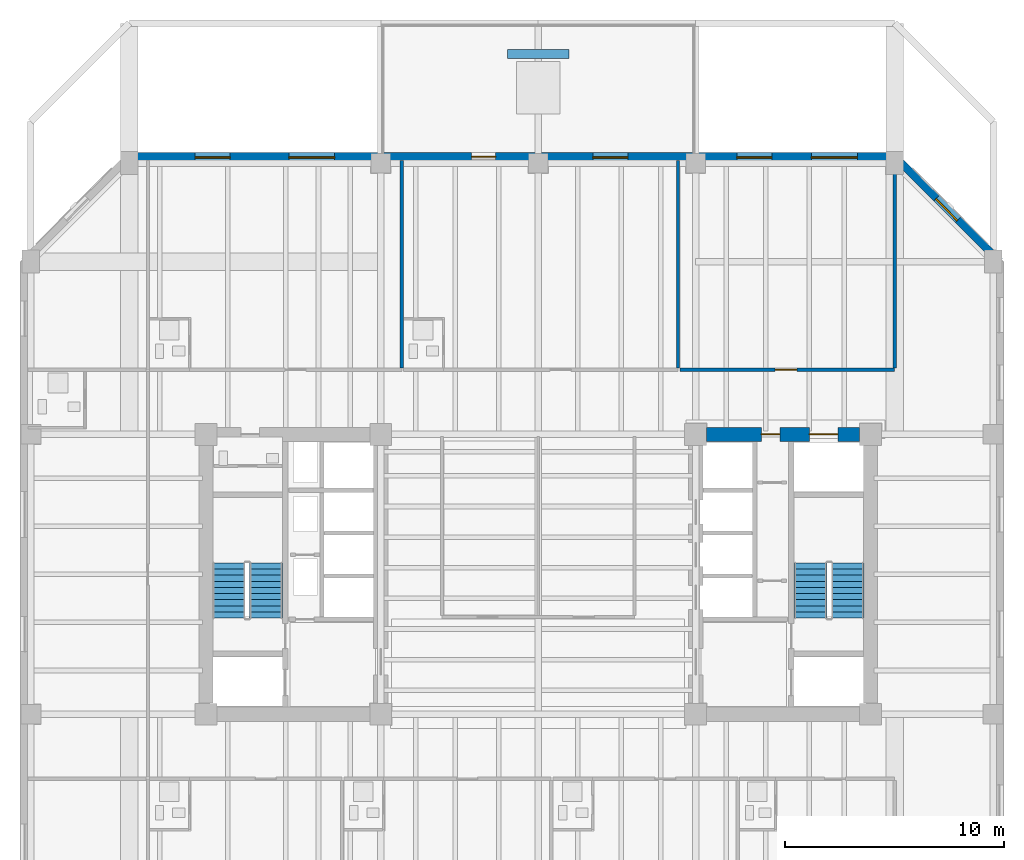
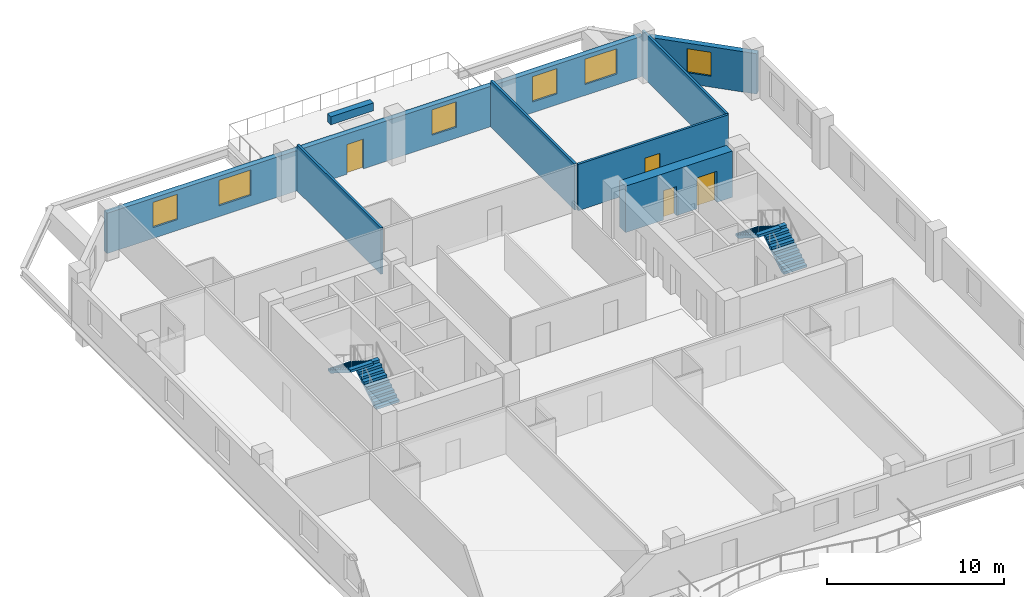
# One storey, part 6 of 11: 8 walls, 6 windows, 4 doors, 4 stair flights, 10 openings, 2 elements without a shape of their own.
"""IFC4 building model written with IfcOpenShell, lengths in metres."""

from ifc_helpers import new_model, si_unit, direction, frame, frame_2d, origin, place, context, subcontext, project, spatial, polyline, rectangle, outline, extrude, material, layer, layer_set, type_object, element, fill, aggregate, save


model = new_model("IFC4")

# Units and contexts
model_context = context("Model", 3, precision=1e-05, world=origin(), true_north=direction((0.0, 1.0)))
body_context = subcontext(model_context, "Body", "Model", "MODEL_VIEW")
ifc_project = project(units=[si_unit("LENGTHUNIT", "METRE"), si_unit("AREAUNIT", "SQUARE_METRE"), si_unit("VOLUMEUNIT", "CUBIC_METRE"), si_unit("PLANEANGLEUNIT", "RADIAN"), si_unit("MASSUNIT", "GRAM", prefix="KILO")], contexts=[model_context])

# Site, building, storey
site_placement = place(None, origin())
site = spatial("IfcSite", under=ifc_project, at=site_placement, CompositionType="ELEMENT")
building_placement = place(site_placement, origin())
building = spatial("IfcBuilding", under=site, at=building_placement, Name="Kranthara Brick Stack", CompositionType="ELEMENT")
storey_placement = place(building_placement, frame((0.0, 0.0, 120.300048828125)))
storey = spatial("IfcBuildingStorey", under=building, at=storey_placement, Name="L29", CompositionType="ELEMENT", Elevation=120.300048828125)

# Wall, openings, door, windows
ifc_material_1 = material(Name="Kiln-fired clay brick masonry M15", Category="masonry")
ifc_layer_1 = layer(ifc_material_1, 0.35009765625)
ifc_layer_set_1 = layer_set([ifc_layer_1], Name="Kiln-fired clay brick masonry M15")
wall_type_1 = type_object("IfcWallType", Name="WL-BRK-SPND-350", PredefinedType="STANDARD", material=ifc_layer_set_1)
wall_1_placement = place(storey_placement, frame((9.300048828125, 46.304931640625, 0.0), z_axis=(0.0, 0.0, 1.0), x_axis=(1.0, 0.0, 0.0)))
wall_1 = element("IfcWall", 1, at=wall_1_placement, inside=storey, type_object=wall_type_1, Name="L29 Exterior Brick Facade Wall NORTH 1", PredefinedType="STANDARD", context=body_context, shape_type="SweptSolid", body=[
    extrude(rectangle(XDim=35.0, YDim=0.35009765625, at=frame_2d((17.5, 0.0))), origin(), (0.0, 0.0, 1.0), 2.784912109375),
])
opening_1_placement = place(wall_1_placement, frame((15.64990234375, 0.0, 0.0)))
opening_1 = element("IfcOpeningElement", 2, at=opening_1_placement, cuts=wall_1, Name="Opening D02", PredefinedType="OPENING", context=body_context, shape_type="SweptSolid", body=[
    extrude(rectangle(XDim=1.10009765625, YDim=2.050048828125, at=frame_2d((0.550048828125, 1.02490234375))), frame((0.0, 0.18505859375, 0.0), z_axis=(0.0, -1.0, 0.0), x_axis=(1.0, 0.0, 0.0)), (0.0, 0.0, 1.0), 0.3701171875),
])
opening_2_placement = place(wall_1_placement, frame((3.007080078125, 0.0, 0.75)))
opening_2 = element("IfcOpeningElement", 3, at=opening_2_placement, cuts=wall_1, Name="Opening WN04", PredefinedType="OPENING", context=body_context, shape_type="SweptSolid", body=[
    extrude(rectangle(XDim=1.60009765625, YDim=1.75, at=frame_2d((0.800048828125, 0.875))), frame((0.0, 0.18505859375, 0.0), z_axis=(0.0, -1.0, 0.0), x_axis=(1.0, 0.0, 0.0)), (0.0, 0.0, 1.0), 0.3701171875),
])
opening_3_placement = place(wall_1_placement, frame((7.29296875, 0.0, 0.75)))
opening_3 = element("IfcOpeningElement", 4, at=opening_3_placement, cuts=wall_1, Name="Opening WN05", PredefinedType="OPENING", context=body_context, shape_type="SweptSolid", body=[
    extrude(rectangle(XDim=2.10009765625, YDim=1.75, at=frame_2d((1.050048828125, 0.875))), frame((0.0, 0.18505859375, 0.0), z_axis=(0.0, -1.0, 0.0), x_axis=(1.0, 0.0, 0.0)), (0.0, 0.0, 1.0), 0.3701171875),
])
opening_4_placement = place(wall_1_placement, frame((21.197998046875, 0.0, 0.75)))
opening_4 = element("IfcOpeningElement", 5, at=opening_4_placement, cuts=wall_1, Name="Opening WN04", PredefinedType="OPENING", context=body_context, shape_type="SweptSolid", body=[
    extrude(rectangle(XDim=1.60009765625, YDim=1.75, at=frame_2d((0.800048828125, 0.875))), frame((0.0, 0.18505859375, 0.0), z_axis=(0.0, -1.0, 0.0), x_axis=(1.0, 0.0, 0.0)), (0.0, 0.0, 1.0), 0.3701171875),
])
opening_5_placement = place(wall_1_placement, frame((27.782958984375, 0.0, 0.75)))
opening_5 = element("IfcOpeningElement", 6, at=opening_5_placement, cuts=wall_1, Name="Opening WN04", PredefinedType="OPENING", context=body_context, shape_type="SweptSolid", body=[
    extrude(rectangle(XDim=1.60009765625, YDim=1.75, at=frame_2d((0.800048828125, 0.875))), frame((0.0, 0.18505859375, 0.0), z_axis=(0.0, -1.0, 0.0), x_axis=(1.0, 0.0, 0.0)), (0.0, 0.0, 1.0), 0.3701171875),
])
opening_6_placement = place(wall_1_placement, frame((31.19189453125, 0.0, 0.75)))
opening_6 = element("IfcOpeningElement", 7, at=opening_6_placement, cuts=wall_1, Name="Opening WN05", PredefinedType="OPENING", context=body_context, shape_type="SweptSolid", body=[
    extrude(rectangle(XDim=2.10009765625, YDim=1.75, at=frame_2d((1.050048828125, 0.875))), frame((0.0, 0.18505859375, 0.0), z_axis=(0.0, -1.0, 0.0), x_axis=(1.0, 0.0, 0.0)), (0.0, 0.0, 1.0), 0.3701171875),
])
ifc_material_2 = material(Name="Bronze anodised aluminium and laminated glass", Category="aluminium")
door_type_1 = type_object("IfcDoorType", Name="DR-TERR-1100", OperationType="NOTDEFINED", PredefinedType="DOOR", material=ifc_material_2)
door_1_placement = place(opening_1_placement, origin())
door_1 = element("IfcDoor", 8, at=door_1_placement, inside=storey, type_object=door_type_1, Name="L29 Planted Sky Garden Terrace Door", OperationType="SINGLE_SWING_LEFT", OverallHeight=2.050048828125, OverallWidth=1.10009765625, PredefinedType="DOOR", context=body_context, shape_type="SweptSolid", body=[
    extrude(rectangle(XDim=1.10009765625, YDim=2.050048828125, at=frame_2d((0.550048828125, 1.02490234375))), frame((0.0, 0.02490234375, 0.0), z_axis=(0.0, -1.0, 0.0), x_axis=(1.0, 0.0, 0.0)), (0.0, 0.0, 1.0), 0.050048828125),
])
fill(opening_1, door_1)
ifc_material_3 = material(Name="Double-glazed low-E solar control glass", Category="glass")
window_type_1 = type_object("IfcWindowType", Name="WN-HTL-1600x1850", PartitioningType="DOUBLE_PANEL_VERTICAL", PredefinedType="WINDOW", material=ifc_material_3)
window_1_placement = place(opening_2_placement, origin())
window_1 = element("IfcWindow", 9, at=window_1_placement, inside=storey, type_object=window_type_1, Name="L29 North Deep-Set Brick Window 01", OverallHeight=1.75, OverallWidth=1.60009765625, PartitioningType="SINGLE_PANEL", PredefinedType="WINDOW", context=body_context, shape_type="SweptSolid", body=[
    extrude(rectangle(XDim=1.60009765625, YDim=1.75, at=frame_2d((0.800048828125, 0.875))), frame((0.0, -0.010009765625, 0.0), z_axis=(0.0, -1.0, 0.0), x_axis=(1.0, 0.0, 0.0)), (0.0, 0.0, 1.0), 0.06005859375),
])
fill(opening_2, window_1)
window_2_placement = place(opening_4_placement, origin())
window_2 = element("IfcWindow", 10, at=window_2_placement, inside=storey, type_object=window_type_1, Name="L29 North Deep-Set Brick Window 03", OverallHeight=1.75, OverallWidth=1.60009765625, PartitioningType="SINGLE_PANEL", PredefinedType="WINDOW", context=body_context, shape_type="SweptSolid", body=[
    extrude(rectangle(XDim=1.60009765625, YDim=1.75, at=frame_2d((0.800048828125, 0.875))), frame((0.0, -0.010009765625, 0.0), z_axis=(0.0, -1.0, 0.0), x_axis=(1.0, 0.0, 0.0)), (0.0, 0.0, 1.0), 0.06005859375),
])
fill(opening_4, window_2)
window_3_placement = place(opening_5_placement, origin())
window_3 = element("IfcWindow", 11, at=window_3_placement, inside=storey, type_object=window_type_1, Name="L29 North Deep-Set Brick Window 04", OverallHeight=1.75, OverallWidth=1.60009765625, PartitioningType="SINGLE_PANEL", PredefinedType="WINDOW", context=body_context, shape_type="SweptSolid", body=[
    extrude(rectangle(XDim=1.60009765625, YDim=1.75, at=frame_2d((0.800048828125, 0.875))), frame((0.0, -0.010009765625, 0.0), z_axis=(0.0, -1.0, 0.0), x_axis=(1.0, 0.0, 0.0)), (0.0, 0.0, 1.0), 0.06005859375),
])
fill(opening_5, window_3)
ifc_material_4 = material(Name="Double-glazed low-E solar control glass", Category="glass")
window_type_2 = type_object("IfcWindowType", Name="WN-HTL-2100x1850", PartitioningType="DOUBLE_PANEL_VERTICAL", PredefinedType="WINDOW", material=ifc_material_4)
window_4_placement = place(opening_3_placement, origin())
window_4 = element("IfcWindow", 12, at=window_4_placement, inside=storey, type_object=window_type_2, Name="L29 North Deep-Set Brick Window 02", OverallHeight=1.75, OverallWidth=2.10009765625, PartitioningType="SINGLE_PANEL", PredefinedType="WINDOW", context=body_context, shape_type="SweptSolid", body=[
    extrude(rectangle(XDim=2.10009765625, YDim=1.75, at=frame_2d((1.050048828125, 0.875))), frame((0.0, -0.010009765625, 0.0), z_axis=(0.0, -1.0, 0.0), x_axis=(1.0, 0.0, 0.0)), (0.0, 0.0, 1.0), 0.06005859375),
])
fill(opening_3, window_4)
window_5_placement = place(opening_6_placement, origin())
window_5 = element("IfcWindow", 13, at=window_5_placement, inside=storey, type_object=window_type_2, Name="L29 North Deep-Set Brick Window 05", OverallHeight=1.75, OverallWidth=2.10009765625, PartitioningType="SINGLE_PANEL", PredefinedType="WINDOW", context=body_context, shape_type="SweptSolid", body=[
    extrude(rectangle(XDim=2.10009765625, YDim=1.75, at=frame_2d((1.050048828125, 0.875))), frame((0.0, -0.010009765625, 0.0), z_axis=(0.0, -1.0, 0.0), x_axis=(1.0, 0.0, 0.0)), (0.0, 0.0, 1.0), 0.06005859375),
])
fill(opening_6, window_5)

# Wall, opening, window
wall_2_placement = place(storey_placement, frame((44.300048828125, 46.304931640625, 0.0), z_axis=(0.0, 0.0, 1.0), x_axis=(0.707106781187, -0.707106781187, 0.0)))
wall_2 = element("IfcWall", 14, at=wall_2_placement, inside=storey, type_object=wall_type_1, Name="L29 Exterior Brick Facade Wall NE 1", PredefinedType="STANDARD", context=body_context, shape_type="SweptSolid", body=[
    extrude(rectangle(XDim=6.795166015625, YDim=0.35009765625, at=frame_2d((3.3974609375, 0.0))), origin(), (0.0, 0.0, 1.0), 2.784912109375),
])
opening_7_placement = place(wall_2_placement, frame((2.697998046875, 0.0, 0.75)))
opening_7 = element("IfcOpeningElement", 15, at=opening_7_placement, cuts=wall_2, Name="Opening WN10", PredefinedType="OPENING", context=body_context, shape_type="SweptSolid", body=[
    extrude(rectangle(XDim=1.39990234375, YDim=1.64990234375, at=frame_2d((0.699951171875, 0.824951171875))), frame((0.0, 0.18505859375, 0.0), z_axis=(0.0, -1.0, 0.0), x_axis=(1.0, 0.0, 0.0)), (0.0, 0.0, 1.0), 0.3701171875),
])
ifc_material_5 = material(Name="Double-glazed low-E solar control glass", Category="glass")
window_type_3 = type_object("IfcWindowType", Name="WN-CHM-1400x1750", PartitioningType="SINGLE_PANEL", PredefinedType="WINDOW", material=ifc_material_5)
window_6_placement = place(opening_7_placement, origin())
window_6 = element("IfcWindow", 16, at=window_6_placement, inside=storey, type_object=window_type_3, Name="L29 NE Chamfer Corner Window", OverallHeight=1.64990234375, OverallWidth=1.39990234375, PartitioningType="SINGLE_PANEL", PredefinedType="WINDOW", context=body_context, shape_type="SweptSolid", body=[
    extrude(rectangle(XDim=1.39990234375, YDim=1.64990234375, at=frame_2d((0.699951171875, 0.824951171875))), frame((0.0, -0.010009765625, 0.0), z_axis=(0.0, -1.0, 0.0), x_axis=(1.0, 0.0, 0.0)), (0.0, 0.0, 1.0), 0.06005859375),
])
fill(opening_7, window_6)

# Wall, openings, doors
ifc_material_6 = material(Name="Concrete C60/75", Category="concrete")
ifc_layer_2 = layer(ifc_material_6, 0.64990234375)
ifc_layer_set_2 = layer_set([ifc_layer_2], Name="Concrete C60/75")
wall_type_2 = type_object("IfcWallType", Name="WL-CORE-650", PredefinedType="SHEAR", material=ifc_layer_set_2)
wall_3_placement = place(storey_placement, frame((35.705078125, 33.60009765625, 0.0), z_axis=(0.0, 0.0, 1.0), x_axis=(1.0, 0.0, 0.0)))
wall_3 = element("IfcWall", 17, at=wall_3_placement, inside=storey, type_object=wall_type_2, Name="L29 East Core Shear Wall North", PredefinedType="SHEAR", context=body_context, shape_type="SweptSolid", body=[
    extrude(rectangle(XDim=6.989990234375, YDim=0.64990234375, at=frame_2d((3.4951171875, 0.0))), origin(), (0.0, 0.0, 1.0), 3.199951171875),
])
opening_8_placement = place(wall_3_placement, frame((4.695068359375, 0.0, 0.0)))
opening_8 = element("IfcOpeningElement", 18, at=opening_8_placement, cuts=wall_3, Name="Opening LD03", PredefinedType="OPENING", context=body_context, shape_type="SweptSolid", body=[
    extrude(rectangle(XDim=1.300048828125, YDim=2.14990234375, at=frame_2d((0.64990234375, 1.074951171875))), frame((0.0, 0.3349609375, 0.0), z_axis=(0.0, -1.0, 0.0), x_axis=(1.0, 0.0, 0.0)), (0.0, 0.0, 1.0), 0.669921875),
])
opening_9_placement = place(wall_3_placement, frame((2.4951171875, 0.0, 0.0)))
opening_9 = element("IfcOpeningElement", 19, at=opening_9_placement, cuts=wall_3, Name="Opening D10", PredefinedType="OPENING", context=body_context, shape_type="SweptSolid", body=[
    extrude(rectangle(XDim=0.85009765625, YDim=2.02001953125, at=frame_2d((0.425048828125, 1.010009765625))), frame((0.0, 0.3349609375, 0.0), z_axis=(0.0, -1.0, 0.0), x_axis=(1.0, 0.0, 0.0)), (0.0, 0.0, 1.0), 0.669921875),
])
ifc_material_7 = material(Name="Stainless steel sliding landing door", Category="steel")
door_type_2 = type_object("IfcDoorType", Name="DR-LD-SV1300", OperationType="DOUBLE_DOOR_SLIDING", PredefinedType="DOOR", material=ifc_material_7)
door_2_placement = place(opening_8_placement, origin())
door_2 = element("IfcDoor", 20, at=door_2_placement, inside=storey, type_object=door_type_2, Name="L29 Stretcher Service Lift SV-01 Landing Door", OperationType="DOUBLE_DOOR_SLIDING", OverallHeight=2.14990234375, OverallWidth=1.300048828125, PredefinedType="DOOR", context=body_context, shape_type="SweptSolid", body=[
    extrude(rectangle(XDim=1.300048828125, YDim=2.14990234375, at=frame_2d((0.64990234375, 1.074951171875))), frame((0.0, 0.02490234375, 0.0), z_axis=(0.0, -1.0, 0.0), x_axis=(1.0, 0.0, 0.0)), (0.0, 0.0, 1.0), 0.050048828125),
])
fill(opening_8, door_2)
ifc_material_8 = material(Name="Solid-core hardwood timber leaf in steel frame", Category="steel")
door_type_3 = type_object("IfcDoorType", Name="DR-RSR-850", OperationType="NOTDEFINED", PredefinedType="DOOR", material=ifc_material_8)
door_3_placement = place(opening_9_placement, origin())
door_3 = element("IfcDoor", 21, at=door_3_placement, inside=storey, type_object=door_type_3, Name="L29 East Core Service Room Door", OperationType="SINGLE_SWING_LEFT", OverallHeight=2.02001953125, OverallWidth=0.85009765625, PredefinedType="DOOR", context=body_context, shape_type="SweptSolid", body=[
    extrude(rectangle(XDim=0.85009765625, YDim=2.02001953125, at=frame_2d((0.425048828125, 1.010009765625))), frame((0.0, 0.02490234375, 0.0), z_axis=(0.0, -1.0, 0.0), x_axis=(1.0, 0.0, 0.0)), (0.0, 0.0, 1.0), 0.050048828125),
])
fill(opening_9, door_3)

# Walls
ifc_material_9 = material(Name="Fire-rated gypsum board partition", Category="other")
ifc_layer_3 = layer(ifc_material_9, 0.14990234375)
ifc_layer_set_3 = layer_set([ifc_layer_3], Name="Fire-rated gypsum board partition")
wall_type_3 = type_object("IfcWallType", Name="WL-PART-150", PredefinedType="PARTITIONING", material=ifc_layer_set_3)
for number, where, z_axis, x_axis, name in (
    (22, (21.760986328125, 36.6298828125, 0.0), (0.0, 0.0, 1.0), (0.0, 1.0, 0.0), "L29 Interior Partition 035"),
    (23, (34.39599609375, 36.6298828125, 0.0), (0.0, 0.0, 1.0), (0.0, 1.0, 0.0), "L29 Interior Partition 040"),
):
    element("IfcWall", number, at=place(storey_placement, frame(where, z_axis=z_axis, x_axis=x_axis)), inside=storey, type_object=wall_type_3, Name=name, PredefinedType="PARTITIONING", context=body_context, shape_type="SweptSolid", body=[
        extrude(rectangle(XDim=9.4951171875, YDim=0.14990234375, at=frame_2d((4.74755859375, 0.0))), origin(), (0.0, 0.0, 1.0), 3.199951171875),
    ])

# Wall, opening, door
wall_4_placement = place(storey_placement, frame((34.47607421875, 36.550048828125, 0.0), z_axis=(0.0, 0.0, 1.0), x_axis=(1.0, 0.0, 0.0)))
wall_4 = element("IfcWall", 24, at=wall_4_placement, inside=storey, type_object=wall_type_3, Name="L29 Interior Partition 041", PredefinedType="PARTITIONING", context=body_context, shape_type="SweptSolid", body=[
    extrude(rectangle(XDim=9.823974609375, YDim=0.14990234375, at=frame_2d((4.912109375, 0.0))), origin(), (0.0, 0.0, 1.0), 3.199951171875),
])
opening_10_placement = place(wall_4_placement, frame((4.35205078125, 0.0, 0.0)))
opening_10 = element("IfcOpeningElement", 25, at=opening_10_placement, cuts=wall_4, Name="Opening D08", PredefinedType="OPENING", context=body_context, shape_type="SweptSolid", body=[
    extrude(rectangle(XDim=1.0, YDim=2.10009765625, at=frame_2d((0.5, 1.050048828125))), frame((0.0, 0.0849609375, 0.0), z_axis=(0.0, -1.0, 0.0), x_axis=(1.0, 0.0, 0.0)), (0.0, 0.0, 1.0), 0.169921875),
])
ifc_material_10 = material(Name="Solid-core hardwood timber leaf in steel frame", Category="steel")
door_type_4 = type_object("IfcDoorType", Name="DR-FD-1000", OperationType="NOTDEFINED", PredefinedType="DOOR", material=ifc_material_10)
door_4_placement = place(opening_10_placement, origin())
door_4 = element("IfcDoor", 26, at=door_4_placement, inside=storey, type_object=door_type_4, Name="L29 Guest Lounge 19", OperationType="SINGLE_SWING_LEFT", OverallHeight=2.10009765625, OverallWidth=1.0, PredefinedType="DOOR", context=body_context, shape_type="SweptSolid", body=[
    extrude(rectangle(XDim=1.0, YDim=2.10009765625, at=frame_2d((0.5, 1.050048828125))), frame((0.0, 0.02490234375, 0.0), z_axis=(0.0, -1.0, 0.0), x_axis=(1.0, 0.0, 0.0)), (0.0, 0.0, 1.0), 0.050048828125),
])
fill(opening_10, door_4)

# Walls
wall_5_placement = place(storey_placement, frame((44.300048828125, 36.6298828125, 0.0), z_axis=(0.0, 0.0, 1.0), x_axis=(0.0, 1.0, 0.0)))
element("IfcWall", 27, at=wall_5_placement, inside=storey, type_object=wall_type_3, Name="L29 Interior Partition 042", PredefinedType="PARTITIONING", context=body_context, shape_type="SweptSolid", body=[
    extrude(rectangle(XDim=9.4951171875, YDim=0.14990234375, at=frame_2d((4.74755859375, 0.0))), origin(), (0.0, 0.0, 1.0), 3.199951171875),
])
ifc_material_11 = material(Name="Precast concrete C40/50", Category="concrete")
ifc_layer_4 = layer(ifc_material_11, 0.219970703125)
ifc_layer_set_4 = layer_set([ifc_layer_4], Name="Precast concrete C40/50")
wall_type_4 = type_object("IfcWallType", Name="WL-PLN-KERB-220", PredefinedType="PARAPET", material=ifc_layer_set_4)
wall_6_placement = place(storey_placement, frame((26.60009765625, 51.0, 0.0), z_axis=(0.0, 0.0, 1.0), x_axis=(1.0, 0.0, 0.0)))
element("IfcWall", 28, at=wall_6_placement, inside=storey, type_object=wall_type_4, Name="L29 Sky Garden Planted Planter Bed", PredefinedType="PARAPET", context=body_context, shape_type="SweptSolid", body=[
    extrude(rectangle(XDim=2.7998046875, YDim=0.39990234375, at=frame_2d((1.39990234375, 0.0))), origin(), (0.0, 0.0, 1.0), 0.550048828125),
])

# Stair, stair flights
ifc_material_12 = material(Name="Concrete C45/55", Category="concrete")
stair_type = type_object("IfcStairType", Name="ST-CORE-20R", PredefinedType="HALF_TURN_STAIR", material=ifc_material_12)
stair_1_placement = place(storey_placement, origin())
stair_1 = element("IfcStair", 29, at=stair_1_placement, inside=storey, type_object=stair_type, Name="L29 West Core Protected Exit Stair ST01", PredefinedType="HALF_TURN_STAIR")
ifc_material_13 = material(Name="Concrete C45/55", Category="concrete")
stair_flight_type = type_object("IfcStairFlightType", Name="SFL-RC-20R", PredefinedType="STRAIGHT", material=ifc_material_13)
stair_flight_1_placement = place(storey_placement, frame((15.550048828125, 25.199951171875, 0.0), z_axis=(0.0, 0.0, 1.0), x_axis=(0.0, 1.0, 0.0)))
stair_flight_1 = element("IfcStairFlight", 30, at=stair_flight_1_placement, type_object=stair_flight_type, Name="ST01 flight 1", NumberOfRisers=10, NumberOfTreads=9, PredefinedType="STRAIGHT", RiserHeight=0.175, TreadLength=0.28, context=body_context, shape_type="SweptSolid", body=[
    extrude(outline(polyline([(0.0, 0.0), (0.0, 0.175048828125), (0.280029296875, 0.175048828125), (0.280029296875, 0.35009765625), (0.56005859375, 0.35009765625), (0.56005859375, 0.52490234375), (0.840087890625, 0.52490234375), (0.840087890625, 0.699951171875), (1.1201171875, 0.699951171875), (1.1201171875, 0.875), (1.39990234375, 0.875), (1.39990234375, 1.050048828125), (1.679931640625, 1.050048828125), (1.679931640625, 1.22509765625), (1.9599609375, 1.22509765625), (1.9599609375, 1.39990234375), (2.239990234375, 1.39990234375), (2.239990234375, 1.574951171875), (2.52001953125, 1.574951171875), (2.52001953125, 1.75), (2.52001953125, 1.398193359375), (0.28271484375, 0.0), (0.0, 0.0)])), frame((0.0, 0.75, 0.0), z_axis=(0.0, -1.0, 0.0), x_axis=(1.0, 0.0, 0.0)), (0.0, 0.0, 1.0), 1.5),
])
stair_flight_2_placement = place(storey_placement, frame((13.85009765625, 27.719970703125, 1.75), z_axis=(0.0, 0.0, 1.0), x_axis=(0.0, -1.0, 0.0)))
stair_flight_2 = element("IfcStairFlight", 31, at=stair_flight_2_placement, type_object=stair_flight_type, Name="ST01 flight 2", NumberOfRisers=10, NumberOfTreads=9, PredefinedType="STRAIGHT", RiserHeight=0.175, TreadLength=0.28, context=body_context, shape_type="SweptSolid", body=[
    extrude(outline(polyline([(0.0, 0.0), (0.0, 0.175048828125), (0.280029296875, 0.175048828125), (0.280029296875, 0.35009765625), (0.56005859375, 0.35009765625), (0.56005859375, 0.52490234375), (0.840087890625, 0.52490234375), (0.840087890625, 0.699951171875), (1.1201171875, 0.699951171875), (1.1201171875, 0.875), (1.39990234375, 0.875), (1.39990234375, 1.050048828125), (1.679931640625, 1.050048828125), (1.679931640625, 1.22509765625), (1.9599609375, 1.22509765625), (1.9599609375, 1.39990234375), (2.239990234375, 1.39990234375), (2.239990234375, 1.574951171875), (2.52001953125, 1.574951171875), (2.52001953125, 1.75), (2.52001953125, 1.398193359375), (0.28271484375, 0.0), (0.0, 0.0)])), frame((0.0, 0.75, 0.0), z_axis=(0.0, -1.0, 0.0), x_axis=(1.0, 0.0, 0.0)), (0.0, 0.0, 1.0), 1.5),
])
aggregate(stair_1, [stair_flight_1, stair_flight_2])

stair_2_placement = place(storey_placement, origin())
stair_2 = element("IfcStair", 32, at=stair_2_placement, inside=storey, type_object=stair_type, Name="L29 East Core Protected Exit Stair ST02", PredefinedType="HALF_TURN_STAIR")
stair_flight_3_placement = place(storey_placement, frame((42.14990234375, 25.199951171875, 0.0), z_axis=(0.0, 0.0, 1.0), x_axis=(0.0, 1.0, 0.0)))
stair_flight_3 = element("IfcStairFlight", 33, at=stair_flight_3_placement, type_object=stair_flight_type, Name="ST02 flight 1", NumberOfRisers=10, NumberOfTreads=9, PredefinedType="STRAIGHT", RiserHeight=0.175, TreadLength=0.28, context=body_context, shape_type="SweptSolid", body=[
    extrude(outline(polyline([(0.0, 0.0), (0.0, 0.175048828125), (0.280029296875, 0.175048828125), (0.280029296875, 0.35009765625), (0.56005859375, 0.35009765625), (0.56005859375, 0.52490234375), (0.840087890625, 0.52490234375), (0.840087890625, 0.699951171875), (1.1201171875, 0.699951171875), (1.1201171875, 0.875), (1.39990234375, 0.875), (1.39990234375, 1.050048828125), (1.679931640625, 1.050048828125), (1.679931640625, 1.22509765625), (1.9599609375, 1.22509765625), (1.9599609375, 1.39990234375), (2.239990234375, 1.39990234375), (2.239990234375, 1.574951171875), (2.52001953125, 1.574951171875), (2.52001953125, 1.75), (2.52001953125, 1.398193359375), (0.28271484375, 0.0), (0.0, 0.0)])), frame((0.0, 0.75, 0.0), z_axis=(0.0, -1.0, 0.0), x_axis=(1.0, 0.0, 0.0)), (0.0, 0.0, 1.0), 1.5),
])
stair_flight_4_placement = place(storey_placement, frame((40.449951171875, 27.719970703125, 1.75), z_axis=(0.0, 0.0, 1.0), x_axis=(0.0, -1.0, 0.0)))
stair_flight_4 = element("IfcStairFlight", 34, at=stair_flight_4_placement, type_object=stair_flight_type, Name="ST02 flight 2", NumberOfRisers=10, NumberOfTreads=9, PredefinedType="STRAIGHT", RiserHeight=0.175, TreadLength=0.28, context=body_context, shape_type="SweptSolid", body=[
    extrude(outline(polyline([(0.0, 0.0), (0.0, 0.175048828125), (0.280029296875, 0.175048828125), (0.280029296875, 0.35009765625), (0.56005859375, 0.35009765625), (0.56005859375, 0.52490234375), (0.840087890625, 0.52490234375), (0.840087890625, 0.699951171875), (1.1201171875, 0.699951171875), (1.1201171875, 0.875), (1.39990234375, 0.875), (1.39990234375, 1.050048828125), (1.679931640625, 1.050048828125), (1.679931640625, 1.22509765625), (1.9599609375, 1.22509765625), (1.9599609375, 1.39990234375), (2.239990234375, 1.39990234375), (2.239990234375, 1.574951171875), (2.52001953125, 1.574951171875), (2.52001953125, 1.75), (2.52001953125, 1.398193359375), (0.28271484375, 0.0), (0.0, 0.0)])), frame((0.0, 0.75, 0.0), z_axis=(0.0, -1.0, 0.0), x_axis=(1.0, 0.0, 0.0)), (0.0, 0.0, 1.0), 1.5),
])
aggregate(stair_2, [stair_flight_3, stair_flight_4])

save(model, "model.ifc")
